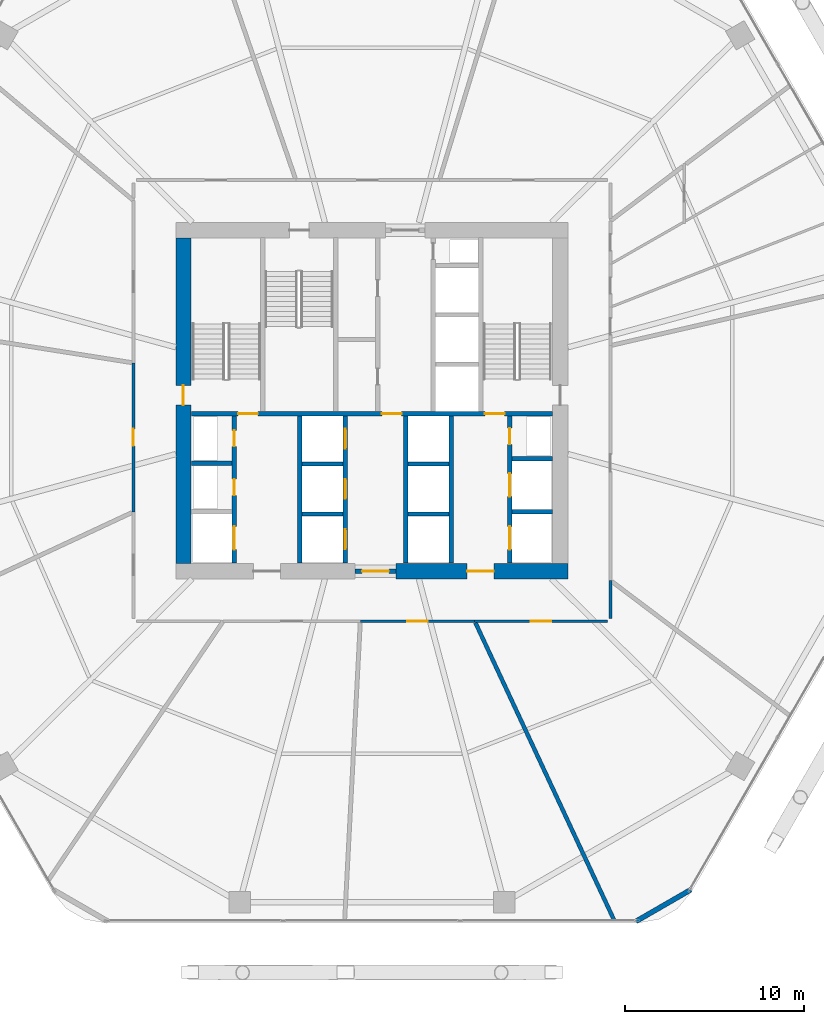
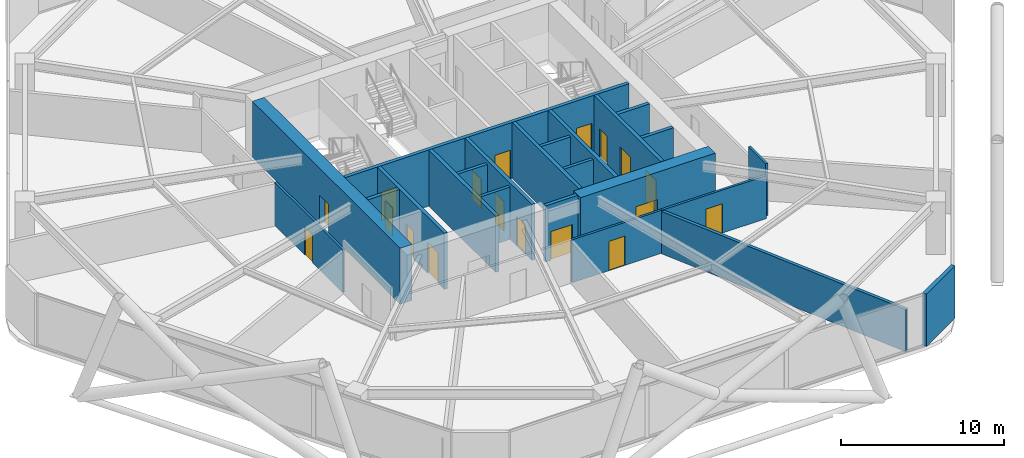
# One storey, part 26 of 29: 23 walls, 18 doors, 18 openings.
"""IFC4 building model written with IfcOpenShell, lengths in metres."""

from ifc_helpers import new_model, si_unit, direction, frame, frame_2d, origin, place, context, subcontext, project, spatial, rectangle, extrude, material, layer, layer_set, type_object, element, fill, save


model = new_model("IFC4")

# Units and contexts
model_context = context("Model", 3, precision=1e-05, world=origin(), true_north=direction((0.0, 1.0)))
body_context = subcontext(model_context, "Body", "Model", "MODEL_VIEW")
ifc_project = project(units=[si_unit("LENGTHUNIT", "METRE"), si_unit("AREAUNIT", "SQUARE_METRE"), si_unit("VOLUMEUNIT", "CUBIC_METRE"), si_unit("PLANEANGLEUNIT", "RADIAN"), si_unit("MASSUNIT", "GRAM", prefix="KILO")], contexts=[model_context])

# Site, building, storey
site_placement = place(None, origin())
site = spatial("IfcSite", under=ifc_project, at=site_placement, CompositionType="ELEMENT")
building_placement = place(site_placement, origin())
building = spatial("IfcBuilding", under=site, at=building_placement, Name="Zuhravey Tower", CompositionType="ELEMENT")
storey_placement = place(building_placement, frame((0.0, 0.0, 41.39990234375)))
storey = spatial("IfcBuildingStorey", under=building, at=storey_placement, Name="L10", CompositionType="ELEMENT", Elevation=41.39990234375)

# Wall, opening, door
ifc_material_1 = material(Name="Concrete C60/75", Category="concrete")
ifc_layer_1 = layer(ifc_material_1, 0.85009765625)
ifc_layer_set_1 = layer_set([ifc_layer_1], Name="Concrete C60/75")
wall_type_1 = type_object("IfcWallType", Name="Core Shear Wall 850", PredefinedType="SHEAR", material=ifc_layer_set_1)
wall_1_placement = place(storey_placement, frame((37.35009765625, 22.5, 0.0), z_axis=(0.0, 0.0, 1.0), x_axis=(1.0, 0.0, 0.0)))
wall_1 = element("IfcWall", 1, at=wall_1_placement, inside=storey, type_object=wall_type_1, Name="L10 South-East Core Shear Wall CW85", PredefinedType="SHEAR", context=body_context, shape_type="SweptSolid", body=[
    extrude(rectangle(XDim=9.574951171875, YDim=0.85009765625, at=frame_2d((4.78759765625, 0.0))), origin(), (0.0, 0.0, 1.0), 4.2001953125),
])
opening_1_placement = place(wall_1_placement, frame((3.949951171875, 0.0, 0.0)))
opening_1 = element("IfcOpeningElement", 2, at=opening_1_placement, cuts=wall_1, Name="Opening FFD1", PredefinedType="OPENING", context=body_context, shape_type="SweptSolid", body=[
    extrude(rectangle(XDim=1.5, YDim=2.14990234375, at=frame_2d((0.75, 1.074951171875))), frame((0.0, 0.43701171875, 0.0), z_axis=(0.0, -1.0, 0.0), x_axis=(1.0, 0.0, 0.0)), (0.0, 0.0, 1.0), 0.8740234375),
])
ifc_material_2 = material(Name="Galvanised fire-rated steel leaf", Category="steel")
door_type_1 = type_object("IfcDoorType", Name="Firefighting Lobby Double Door 1500x2150", OperationType="DOUBLE_DOOR_SINGLE_SWING", PredefinedType="DOOR", material=ifc_material_2)
door_1_placement = place(opening_1_placement, origin())
door_1 = element("IfcDoor", 3, at=door_1_placement, inside=storey, type_object=door_type_1, Name="L10 Firefighting Lobby East Door", OperationType="DOUBLE_DOOR_SINGLE_SWING", OverallHeight=2.14990234375, OverallWidth=1.5, PredefinedType="DOOR", context=body_context, shape_type="SweptSolid", body=[
    extrude(rectangle(XDim=1.5, YDim=2.14990234375, at=frame_2d((0.75, 1.074951171875))), frame((0.0, 0.02490234375, 0.0), z_axis=(0.0, -1.0, 0.0), x_axis=(1.0, 0.0, 0.0)), (0.0, 0.0, 1.0), 0.050048828125),
])
fill(opening_1, door_1)

wall_2_placement = place(storey_placement, frame((25.5, 22.925048828125, 0.0), z_axis=(0.0, 0.0, 1.0), x_axis=(0.0, 1.0, 0.0)))
wall_2 = element("IfcWall", 4, at=wall_2_placement, inside=storey, type_object=wall_type_1, Name="L10 West Core Shear Wall CW85", PredefinedType="SHEAR", context=body_context, shape_type="SweptSolid", body=[
    extrude(rectangle(XDim=18.14990234375, YDim=0.85009765625, at=frame_2d((9.074951171875, 0.0))), origin(), (0.0, 0.0, 1.0), 4.2001953125),
])
opening_2_placement = place(wall_2_placement, frame((8.824951171875, 0.0, 0.0)))
opening_2 = element("IfcOpeningElement", 5, at=opening_2_placement, cuts=wall_2, Name="Opening STD1", PredefinedType="OPENING", context=body_context, shape_type="SweptSolid", body=[
    extrude(rectangle(XDim=1.10009765625, YDim=2.14990234375, at=frame_2d((0.550048828125, 1.074951171875))), frame((0.0, 0.43701171875, 0.0), z_axis=(0.0, -1.0, 0.0), x_axis=(1.0, 0.0, 0.0)), (0.0, 0.0, 1.0), 0.8740234375),
])
door_type_2 = type_object("IfcDoorType", Name="Protected Stair Fire Door 1100x2150", OperationType="NOTDEFINED", PredefinedType="USERDEFINED", material=ifc_material_2)
door_2_placement = place(opening_2_placement, frame((1.10009765625, 0.0, 0.0), z_axis=(0.0, 0.0, 1.0), x_axis=(-1.0, 0.0, 0.0)))
door_2 = element("IfcDoor", 6, at=door_2_placement, inside=storey, type_object=door_type_2, Name="L10 Stair ST1 Door", ObjectType="EXITDOOR", OperationType="SINGLE_SWING_LEFT", OverallHeight=2.14990234375, OverallWidth=1.10009765625, PredefinedType="USERDEFINED", context=body_context, shape_type="SweptSolid", body=[
    extrude(rectangle(XDim=1.10009765625, YDim=2.14990234375, at=frame_2d((0.550048828125, 1.074951171875))), frame((0.0, 0.02490234375, 0.0), z_axis=(0.0, -1.0, 0.0), x_axis=(1.0, 0.0, 0.0)), (0.0, 0.0, 1.0), 0.050048828125),
])
fill(opening_2, door_2)

ifc_material_3 = material(Name="Gypsum fire-rated stud partition")
ifc_layer_2 = layer(ifc_material_3, 0.159912109375)
ifc_layer_set_2 = layer_set([ifc_layer_2], Name="Gypsum fire-rated stud partition")
wall_type_2 = type_object("IfcWallType", Name="Corridor Fire Partition 160", PredefinedType="PARTITIONING", material=ifc_layer_set_2)
wall_3_placement = place(storey_placement, frame((22.715087890625, 34.10400390625, 0.0), z_axis=(0.0, 0.0, 1.0), x_axis=(0.0, -1.0, 0.0)))
wall_3 = element("IfcWall", 7, at=wall_3_placement, inside=storey, type_object=wall_type_2, Name="L10 IW16 Partition 027", PredefinedType="PARTITIONING", context=body_context, shape_type="SweptSolid", body=[
    extrude(rectangle(XDim=8.298828125, YDim=0.159912109375, at=frame_2d((4.1494140625, 0.0))), origin(), (0.0, 0.0, 1.0), 3.22021484375),
])
opening_3_placement = place(wall_3_placement, frame((3.674560546875, 0.0, 0.0)))
opening_3 = element("IfcOpeningElement", 8, at=opening_3_placement, cuts=wall_3, Name="Opening IND1", PredefinedType="OPENING", context=body_context, shape_type="SweptSolid", body=[
    extrude(rectangle(XDim=0.949951171875, YDim=2.10009765625, at=frame_2d((0.47509765625, 1.050048828125))), frame((0.0, 0.092041015625, 0.0), z_axis=(0.0, -1.0, 0.0), x_axis=(1.0, 0.0, 0.0)), (0.0, 0.0, 1.0), 0.183837890625),
])
ifc_material_4 = material(Name="Painted engineered timber leaf", Category="wood")
door_type_3 = type_object("IfcDoorType", Name="Internal Room & Bedroom Door 950x2100", OperationType="NOTDEFINED", PredefinedType="DOOR", material=ifc_material_4)
door_3_placement = place(opening_3_placement, frame((0.949951171875, 0.0, 0.0), z_axis=(0.0, 0.0, 1.0), x_axis=(-1.0, 0.0, 0.0)))
door_3 = element("IfcDoor", 9, at=door_3_placement, inside=storey, type_object=door_type_3, Name="L10 Door 027.1", OperationType="SINGLE_SWING_LEFT", OverallHeight=2.10009765625, OverallWidth=0.949951171875, PredefinedType="DOOR", context=body_context, shape_type="SweptSolid", body=[
    extrude(rectangle(XDim=0.949951171875, YDim=2.10009765625, at=frame_2d((0.47509765625, 1.050048828125))), frame((0.0, 0.02490234375, 0.0), z_axis=(0.0, -1.0, 0.0), x_axis=(1.0, 0.0, 0.0)), (0.0, 0.0, 1.0), 0.050048828125),
])
fill(opening_3, door_3)

wall_4_placement = place(storey_placement, frame((35.356201171875, 19.715087890625, 0.0), z_axis=(0.0, 0.0, 1.0), x_axis=(1.0, 0.0, 0.0)))
wall_4 = element("IfcWall", 10, at=wall_4_placement, inside=storey, type_object=wall_type_2, Name="L10 IW16 Partition 030", PredefinedType="PARTITIONING", context=body_context, shape_type="SweptSolid", body=[
    extrude(rectangle(XDim=6.372314453125, YDim=0.159912109375, at=frame_2d((3.18603515625, 0.0))), origin(), (0.0, 0.0, 1.0), 3.22021484375),
])
opening_4_placement = place(wall_4_placement, frame((2.611083984375, 0.0, 0.0)))
opening_4 = element("IfcOpeningElement", 11, at=opening_4_placement, cuts=wall_4, Name="Opening CLD1", PredefinedType="OPENING", context=body_context, shape_type="SweptSolid", body=[
    extrude(rectangle(XDim=1.14990234375, YDim=2.199951171875, at=frame_2d((0.574951171875, 1.10009765625))), frame((0.0, 0.092041015625, 0.0), z_axis=(0.0, -1.0, 0.0), x_axis=(1.0, 0.0, 0.0)), (0.0, 0.0, 1.0), 0.183837890625),
])
ifc_material_5 = material(Name="Acoustic timber leaf with vision lite", Category="wood")
door_type_4 = type_object("IfcDoorType", Name="Classroom Acoustic Door 1150x2200", OperationType="NOTDEFINED", PredefinedType="DOOR", material=ifc_material_5)
door_4_placement = place(opening_4_placement, frame((1.14990234375, 0.0, 0.0), z_axis=(0.0, 0.0, 1.0), x_axis=(-1.0, 0.0, 0.0)))
door_4 = element("IfcDoor", 12, at=door_4_placement, inside=storey, type_object=door_type_4, Name="L10 Door 030.1", OperationType="SINGLE_SWING_RIGHT", OverallHeight=2.199951171875, OverallWidth=1.14990234375, PredefinedType="DOOR", context=body_context, shape_type="SweptSolid", body=[
    extrude(rectangle(XDim=1.14990234375, YDim=2.199951171875, at=frame_2d((0.574951171875, 1.10009765625))), frame((0.0, 0.02490234375, 0.0), z_axis=(0.0, -1.0, 0.0), x_axis=(1.0, 0.0, 0.0)), (0.0, 0.0, 1.0), 0.050048828125),
])
fill(opening_4, door_4)

wall_5_placement = place(storey_placement, frame((41.728515625, 19.715087890625, 0.0), z_axis=(0.0, 0.0, 1.0), x_axis=(1.0, 0.0, 0.0)))
wall_5 = element("IfcWall", 13, at=wall_5_placement, inside=storey, type_object=wall_type_2, Name="L10 IW16 Partition 031", PredefinedType="PARTITIONING", context=body_context, shape_type="SweptSolid", body=[
    extrude(rectangle(XDim=7.396484375, YDim=0.159912109375, at=frame_2d((3.6982421875, 0.0))), origin(), (0.0, 0.0, 1.0), 3.22021484375),
])
opening_5_placement = place(wall_5_placement, frame((3.123291015625, 0.0, 0.0)))
opening_5 = element("IfcOpeningElement", 14, at=opening_5_placement, cuts=wall_5, Name="Opening CLD1", PredefinedType="OPENING", context=body_context, shape_type="SweptSolid", body=[
    extrude(rectangle(XDim=1.14990234375, YDim=2.199951171875, at=frame_2d((0.574951171875, 1.10009765625))), frame((0.0, 0.092041015625, 0.0), z_axis=(0.0, -1.0, 0.0), x_axis=(1.0, 0.0, 0.0)), (0.0, 0.0, 1.0), 0.183837890625),
])
door_5_placement = place(opening_5_placement, frame((1.14990234375, 0.0, 0.0), z_axis=(0.0, 0.0, 1.0), x_axis=(-1.0, 0.0, 0.0)))
door_5 = element("IfcDoor", 15, at=door_5_placement, inside=storey, type_object=door_type_4, Name="L10 Door 031.1", OperationType="SINGLE_SWING_LEFT", OverallHeight=2.199951171875, OverallWidth=1.14990234375, PredefinedType="DOOR", context=body_context, shape_type="SweptSolid", body=[
    extrude(rectangle(XDim=1.14990234375, YDim=2.199951171875, at=frame_2d((0.574951171875, 1.10009765625))), frame((0.0, 0.02490234375, 0.0), z_axis=(0.0, -1.0, 0.0), x_axis=(1.0, 0.0, 0.0)), (0.0, 0.0, 1.0), 0.050048828125),
])
fill(opening_5, door_5)

# Walls
wall_6_placement = place(storey_placement, frame((49.284912109375, 19.875, 0.0), z_axis=(0.0, 0.0, 1.0), x_axis=(0.0, 1.0, 0.0)))
element("IfcWall", 16, at=wall_6_placement, inside=storey, type_object=wall_type_2, Name="L10 IW16 Partition 058", PredefinedType="PARTITIONING", context=body_context, shape_type="SweptSolid", body=[
    extrude(rectangle(XDim=2.114013671875, YDim=0.159912109375, at=frame_2d((1.05712890625, 0.0))), origin(), (0.0, 0.0, 1.0), 3.920166015625),
])
ifc_material_6 = material(Name="Precast concrete C40/50", Category="concrete")
ifc_layer_3 = layer(ifc_material_6, 0.280029296875)
ifc_layer_set_3 = layer_set([ifc_layer_3], Name="Precast concrete C40/50")
wall_type_3 = type_object("IfcWallType", Name="Crown Architectural Wall 280", PredefinedType="SOLIDWALL", material=ifc_layer_set_3)
wall_7_placement = place(storey_placement, frame((53.76123046875, 4.75146484375, 0.0), z_axis=(0.0, 0.0, 1.0), x_axis=(-0.866007452331, -0.500031091541, 0.0)))
element("IfcWall", 17, at=wall_7_placement, inside=storey, type_object=wall_type_3, Name="L10 Rounded Corner Closure Wall EW28-02", PredefinedType="SOLIDWALL", context=body_context, shape_type="SweptSolid", body=[
    extrude(rectangle(XDim=3.514892578125, YDim=0.280029296875, at=frame_2d((1.75732421875, 0.0))), origin(), (0.0, 0.0, 1.0), 3.920166015625),
])

# Wall, opening, door
ifc_material_7 = material(Name="Concrete C50/60", Category="concrete")
ifc_layer_4 = layer(ifc_material_7, 0.25)
ifc_layer_set_4 = layer_set([ifc_layer_4], Name="Concrete C50/60")
wall_type_4 = type_object("IfcWallType", Name="Firefighting Shaft & Stair Wall 250", PredefinedType="SOLIDWALL", material=ifc_layer_set_4)
wall_8_placement = place(storey_placement, frame((35.06005859375, 22.5, 0.0), z_axis=(0.0, 0.0, 1.0), x_axis=(1.0, 0.0, 0.0)))
wall_8 = element("IfcWall", 18, at=wall_8_placement, inside=storey, type_object=wall_type_4, Name="L10 FW25 Shaft Wall 001", PredefinedType="SOLIDWALL", context=body_context, shape_type="SweptSolid", body=[
    extrude(rectangle(XDim=2.280029296875, YDim=0.25, at=frame_2d((1.14013671875, 0.0))), origin(), (0.0, 0.0, 1.0), 4.2001953125),
])
opening_6_placement = place(wall_8_placement, frame((0.389892578125, 0.0, 0.0)))
opening_6 = element("IfcOpeningElement", 19, at=opening_6_placement, cuts=wall_8, Name="Opening FFD1", PredefinedType="OPENING", context=body_context, shape_type="SweptSolid", body=[
    extrude(rectangle(XDim=1.5, YDim=2.14990234375, at=frame_2d((0.75, 1.074951171875))), frame((0.0, 0.136962890625, 0.0), z_axis=(0.0, -1.0, 0.0), x_axis=(1.0, 0.0, 0.0)), (0.0, 0.0, 1.0), 0.27392578125),
])
door_6_placement = place(opening_6_placement, frame((1.5, 0.0, 0.0), z_axis=(0.0, 0.0, 1.0), x_axis=(-1.0, 0.0, 0.0)))
door_6 = element("IfcDoor", 20, at=door_6_placement, inside=storey, type_object=door_type_1, Name="L10 South Lift Lobby Exit Door", OperationType="DOUBLE_DOOR_SINGLE_SWING", OverallHeight=2.14990234375, OverallWidth=1.5, PredefinedType="DOOR", context=body_context, shape_type="SweptSolid", body=[
    extrude(rectangle(XDim=1.5, YDim=2.14990234375, at=frame_2d((0.75, 1.074951171875))), frame((0.0, 0.02490234375, 0.0), z_axis=(0.0, -1.0, 0.0), x_axis=(1.0, 0.0, 0.0)), (0.0, 0.0, 1.0), 0.050048828125),
])
fill(opening_6, door_6)

# Wall, openings, doors
wall_9_placement = place(storey_placement, frame((25.949951171875, 31.27490234375, 0.0), z_axis=(0.0, 0.0, 1.0), x_axis=(1.0, 0.0, 0.0)))
wall_9 = element("IfcWall", 21, at=wall_9_placement, inside=storey, type_object=wall_type_4, Name="L10 FW25 Shaft Wall 003", PredefinedType="SOLIDWALL", context=body_context, shape_type="SweptSolid", body=[
    extrude(rectangle(XDim=20.10009765625, YDim=0.25, at=frame_2d((10.050048828125, 0.0))), origin(), (0.0, 0.0, 1.0), 4.2001953125),
])
opening_7_placement = place(wall_9_placement, frame((2.60009765625, 0.0, 0.0)))
opening_7 = element("IfcOpeningElement", 22, at=opening_7_placement, cuts=wall_9, Name="Opening STD1", PredefinedType="OPENING", context=body_context, shape_type="SweptSolid", body=[
    extrude(rectangle(XDim=1.10009765625, YDim=2.14990234375, at=frame_2d((0.550048828125, 1.074951171875))), frame((0.0, 0.136962890625, 0.0), z_axis=(0.0, -1.0, 0.0), x_axis=(1.0, 0.0, 0.0)), (0.0, 0.0, 1.0), 0.27392578125),
])
opening_8_placement = place(wall_9_placement, frame((10.60009765625, 0.0, 0.0)))
opening_8 = element("IfcOpeningElement", 23, at=opening_8_placement, cuts=wall_9, Name="Opening STD1", PredefinedType="OPENING", context=body_context, shape_type="SweptSolid", body=[
    extrude(rectangle(XDim=1.10009765625, YDim=2.14990234375, at=frame_2d((0.550048828125, 1.074951171875))), frame((0.0, 0.136962890625, 0.0), z_axis=(0.0, -1.0, 0.0), x_axis=(1.0, 0.0, 0.0)), (0.0, 0.0, 1.0), 0.27392578125),
])
opening_9_placement = place(wall_9_placement, frame((16.35009765625, 0.0, 0.0)))
opening_9 = element("IfcOpeningElement", 24, at=opening_9_placement, cuts=wall_9, Name="Opening STD1", PredefinedType="OPENING", context=body_context, shape_type="SweptSolid", body=[
    extrude(rectangle(XDim=1.10009765625, YDim=2.14990234375, at=frame_2d((0.550048828125, 1.074951171875))), frame((0.0, 0.136962890625, 0.0), z_axis=(0.0, -1.0, 0.0), x_axis=(1.0, 0.0, 0.0)), (0.0, 0.0, 1.0), 0.27392578125),
])
door_7_placement = place(opening_7_placement, origin())
door_7 = element("IfcDoor", 25, at=door_7_placement, inside=storey, type_object=door_type_2, Name="L10 FFL-W to ST1 Door", ObjectType="EXITDOOR", OperationType="SINGLE_SWING_RIGHT", OverallHeight=2.14990234375, OverallWidth=1.10009765625, PredefinedType="USERDEFINED", context=body_context, shape_type="SweptSolid", body=[
    extrude(rectangle(XDim=1.10009765625, YDim=2.14990234375, at=frame_2d((0.550048828125, 1.074951171875))), frame((0.0, 0.02490234375, 0.0), z_axis=(0.0, -1.0, 0.0), x_axis=(1.0, 0.0, 0.0)), (0.0, 0.0, 1.0), 0.050048828125),
])
fill(opening_7, door_7)
door_8_placement = place(opening_8_placement, origin())
door_8 = element("IfcDoor", 26, at=door_8_placement, inside=storey, type_object=door_type_2, Name="L10 Core Lobby Link Door", ObjectType="EXITDOOR", OperationType="SINGLE_SWING_LEFT", OverallHeight=2.14990234375, OverallWidth=1.10009765625, PredefinedType="USERDEFINED", context=body_context, shape_type="SweptSolid", body=[
    extrude(rectangle(XDim=1.10009765625, YDim=2.14990234375, at=frame_2d((0.550048828125, 1.074951171875))), frame((0.0, 0.02490234375, 0.0), z_axis=(0.0, -1.0, 0.0), x_axis=(1.0, 0.0, 0.0)), (0.0, 0.0, 1.0), 0.050048828125),
])
fill(opening_8, door_8)
door_9_placement = place(opening_9_placement, origin())
door_9 = element("IfcDoor", 27, at=door_9_placement, inside=storey, type_object=door_type_2, Name="L10 FFL-E to ST2 Door", ObjectType="EXITDOOR", OperationType="SINGLE_SWING_RIGHT", OverallHeight=2.14990234375, OverallWidth=1.10009765625, PredefinedType="USERDEFINED", context=body_context, shape_type="SweptSolid", body=[
    extrude(rectangle(XDim=1.10009765625, YDim=2.14990234375, at=frame_2d((0.550048828125, 1.074951171875))), frame((0.0, 0.02490234375, 0.0), z_axis=(0.0, -1.0, 0.0), x_axis=(1.0, 0.0, 0.0)), (0.0, 0.0, 1.0), 0.050048828125),
])
fill(opening_9, door_9)

# Wall
wall_10_placement = place(storey_placement, frame((25.949951171875, 28.52490234375, 0.0), z_axis=(0.0, 0.0, 1.0), x_axis=(1.0, 0.0, 0.0)))
element("IfcWall", 28, at=wall_10_placement, inside=storey, type_object=wall_type_4, Name="L10 FW25 Shaft Wall 010", PredefinedType="SOLIDWALL", context=body_context, shape_type="SweptSolid", body=[
    extrude(rectangle(XDim=2.25, YDim=0.25, at=frame_2d((1.125, 0.0))), origin(), (0.0, 0.0, 1.0), 4.2001953125),
])

# Wall, openings, doors
wall_11_placement = place(storey_placement, frame((28.324951171875, 22.949951171875, 0.0), z_axis=(0.0, 0.0, 1.0), x_axis=(0.0, 1.0, 0.0)))
wall_11 = element("IfcWall", 29, at=wall_11_placement, inside=storey, type_object=wall_type_4, Name="L10 FW25 Shaft Wall 011", PredefinedType="SOLIDWALL", context=body_context, shape_type="SweptSolid", body=[
    extrude(rectangle(XDim=8.199951171875, YDim=0.25, at=frame_2d((4.10009765625, 0.0))), origin(), (0.0, 0.0, 1.0), 4.2001953125),
])
opening_10_placement = place(wall_11_placement, frame((0.75, 0.0, 0.0)))
opening_10 = element("IfcOpeningElement", 30, at=opening_10_placement, cuts=wall_11, Name="Opening LD2", PredefinedType="OPENING", context=body_context, shape_type="SweptSolid", body=[
    extrude(rectangle(XDim=1.300048828125, YDim=2.300048828125, at=frame_2d((0.64990234375, 1.14990234375))), frame((0.0, 0.136962890625, 0.0), z_axis=(0.0, -1.0, 0.0), x_axis=(1.0, 0.0, 0.0)), (0.0, 0.0, 1.0), 0.27392578125),
])
opening_11_placement = place(wall_11_placement, frame((3.780029296875, 0.0, 0.0)))
opening_11 = element("IfcOpeningElement", 31, at=opening_11_placement, cuts=wall_11, Name="Opening RSD1", PredefinedType="OPENING", context=body_context, shape_type="SweptSolid", body=[
    extrude(rectangle(XDim=0.89990234375, YDim=2.10009765625, at=frame_2d((0.449951171875, 1.050048828125))), frame((0.0, 0.136962890625, 0.0), z_axis=(0.0, -1.0, 0.0), x_axis=(1.0, 0.0, 0.0)), (0.0, 0.0, 1.0), 0.27392578125),
])
opening_12_placement = place(wall_11_placement, frame((6.5, 0.0, 0.0)))
opening_12 = element("IfcOpeningElement", 32, at=opening_12_placement, cuts=wall_11, Name="Opening RSD1", PredefinedType="OPENING", context=body_context, shape_type="SweptSolid", body=[
    extrude(rectangle(XDim=0.89990234375, YDim=2.10009765625, at=frame_2d((0.449951171875, 1.050048828125))), frame((0.0, 0.136962890625, 0.0), z_axis=(0.0, -1.0, 0.0), x_axis=(1.0, 0.0, 0.0)), (0.0, 0.0, 1.0), 0.27392578125),
])
ifc_material_8 = material(Name="Brushed stainless steel", Category="steel")
door_type_5 = type_object("IfcDoorType", Name="Freight & Stretcher Lift Sliding Door 1300x2300", OperationType="DOUBLE_DOOR_SLIDING", PredefinedType="DOOR", material=ifc_material_8)
door_10_placement = place(opening_10_placement, frame((1.300048828125, 0.0, 0.0), z_axis=(0.0, 0.0, 1.0), x_axis=(-1.0, 0.0, 0.0)))
door_10 = element("IfcDoor", 33, at=door_10_placement, inside=storey, type_object=door_type_5, Name="L10 Lift FF1 Landing Door", OperationType="DOUBLE_DOOR_SLIDING", OverallHeight=2.300048828125, OverallWidth=1.300048828125, PredefinedType="DOOR", context=body_context, shape_type="SweptSolid", body=[
    extrude(rectangle(XDim=1.300048828125, YDim=2.300048828125, at=frame_2d((0.64990234375, 1.14990234375))), frame((0.0, 0.02490234375, 0.0), z_axis=(0.0, -1.0, 0.0), x_axis=(1.0, 0.0, 0.0)), (0.0, 0.0, 1.0), 0.050048828125),
])
fill(opening_10, door_10)
ifc_material_9 = material(Name="Galvanised fire-rated steel access leaf", Category="steel")
door_type_6 = type_object("IfcDoorType", Name="Riser & Shaft Access Fire Door 900x2100", OperationType="NOTDEFINED", PredefinedType="DOOR", material=ifc_material_9)
door_11_placement = place(opening_11_placement, frame((0.89990234375, 0.0, 0.0), z_axis=(0.0, 0.0, 1.0), x_axis=(-1.0, 0.0, 0.0)))
door_11 = element("IfcDoor", 34, at=door_11_placement, inside=storey, type_object=door_type_6, Name="L10 Electrical Riser Door", OperationType="SINGLE_SWING_RIGHT", OverallHeight=2.10009765625, OverallWidth=0.89990234375, PredefinedType="DOOR", context=body_context, shape_type="SweptSolid", body=[
    extrude(rectangle(XDim=0.89990234375, YDim=2.10009765625, at=frame_2d((0.449951171875, 1.050048828125))), frame((0.0, 0.02490234375, 0.0), z_axis=(0.0, -1.0, 0.0), x_axis=(1.0, 0.0, 0.0)), (0.0, 0.0, 1.0), 0.050048828125),
])
fill(opening_11, door_11)
door_12_placement = place(opening_12_placement, frame((0.89990234375, 0.0, 0.0), z_axis=(0.0, 0.0, 1.0), x_axis=(-1.0, 0.0, 0.0)))
door_12 = element("IfcDoor", 35, at=door_12_placement, inside=storey, type_object=door_type_6, Name="L10 Smoke Shaft Access Door", OperationType="SINGLE_SWING_LEFT", OverallHeight=2.10009765625, OverallWidth=0.89990234375, PredefinedType="DOOR", context=body_context, shape_type="SweptSolid", body=[
    extrude(rectangle(XDim=0.89990234375, YDim=2.10009765625, at=frame_2d((0.449951171875, 1.050048828125))), frame((0.0, 0.02490234375, 0.0), z_axis=(0.0, -1.0, 0.0), x_axis=(1.0, 0.0, 0.0)), (0.0, 0.0, 1.0), 0.050048828125),
])
fill(opening_12, door_12)

# Wall
wall_12_placement = place(storey_placement, frame((31.97509765625, 22.949951171875, 0.0), z_axis=(0.0, 0.0, 1.0), x_axis=(0.0, 1.0, 0.0)))
element("IfcWall", 36, at=wall_12_placement, inside=storey, type_object=wall_type_4, Name="L10 FW25 Shaft Wall 012", PredefinedType="SOLIDWALL", context=body_context, shape_type="SweptSolid", body=[
    extrude(rectangle(XDim=8.199951171875, YDim=0.25, at=frame_2d((4.10009765625, 0.0))), origin(), (0.0, 0.0, 1.0), 4.2001953125),
])

# Wall, openings, doors
wall_13_placement = place(storey_placement, frame((34.52490234375, 22.949951171875, 0.0), z_axis=(0.0, 0.0, 1.0), x_axis=(0.0, 1.0, 0.0)))
wall_13 = element("IfcWall", 37, at=wall_13_placement, inside=storey, type_object=wall_type_4, Name="L10 FW25 Shaft Wall 013", PredefinedType="SOLIDWALL", context=body_context, shape_type="SweptSolid", body=[
    extrude(rectangle(XDim=8.199951171875, YDim=0.25, at=frame_2d((4.10009765625, 0.0))), origin(), (0.0, 0.0, 1.0), 4.2001953125),
])
opening_13_placement = place(wall_13_placement, frame((0.77490234375, 0.0, 0.0)))
opening_13 = element("IfcOpeningElement", 38, at=opening_13_placement, cuts=wall_13, Name="Opening LD1", PredefinedType="OPENING", context=body_context, shape_type="SweptSolid", body=[
    extrude(rectangle(XDim=1.10009765625, YDim=2.199951171875, at=frame_2d((0.550048828125, 1.10009765625))), frame((0.0, 0.136962890625, 0.0), z_axis=(0.0, -1.0, 0.0), x_axis=(1.0, 0.0, 0.0)), (0.0, 0.0, 1.0), 0.27392578125),
])
opening_14_placement = place(wall_13_placement, frame((3.574951171875, 0.0, 0.0)))
opening_14 = element("IfcOpeningElement", 39, at=opening_14_placement, cuts=wall_13, Name="Opening LD1", PredefinedType="OPENING", context=body_context, shape_type="SweptSolid", body=[
    extrude(rectangle(XDim=1.10009765625, YDim=2.199951171875, at=frame_2d((0.550048828125, 1.10009765625))), frame((0.0, 0.136962890625, 0.0), z_axis=(0.0, -1.0, 0.0), x_axis=(1.0, 0.0, 0.0)), (0.0, 0.0, 1.0), 0.27392578125),
])
opening_15_placement = place(wall_13_placement, frame((6.375, 0.0, 0.0)))
opening_15 = element("IfcOpeningElement", 40, at=opening_15_placement, cuts=wall_13, Name="Opening LD1", PredefinedType="OPENING", context=body_context, shape_type="SweptSolid", body=[
    extrude(rectangle(XDim=1.10009765625, YDim=2.199951171875, at=frame_2d((0.550048828125, 1.10009765625))), frame((0.0, 0.136962890625, 0.0), z_axis=(0.0, -1.0, 0.0), x_axis=(1.0, 0.0, 0.0)), (0.0, 0.0, 1.0), 0.27392578125),
])
door_type_7 = type_object("IfcDoorType", Name="Lift Landing Sliding Door 1100x2200", OperationType="DOUBLE_DOOR_SLIDING", PredefinedType="DOOR", material=ifc_material_8)
door_13_placement = place(opening_13_placement, frame((1.10009765625, 0.0, 0.0), z_axis=(0.0, 0.0, 1.0), x_axis=(-1.0, 0.0, 0.0)))
door_13 = element("IfcDoor", 41, at=door_13_placement, inside=storey, type_object=door_type_7, Name="L10 Lift PL1 Landing Door", OperationType="DOUBLE_DOOR_SLIDING", OverallHeight=2.199951171875, OverallWidth=1.10009765625, PredefinedType="DOOR", context=body_context, shape_type="SweptSolid", body=[
    extrude(rectangle(XDim=1.10009765625, YDim=2.199951171875, at=frame_2d((0.550048828125, 1.10009765625))), frame((0.0, 0.02490234375, 0.0), z_axis=(0.0, -1.0, 0.0), x_axis=(1.0, 0.0, 0.0)), (0.0, 0.0, 1.0), 0.050048828125),
])
fill(opening_13, door_13)
door_14_placement = place(opening_14_placement, frame((1.10009765625, 0.0, 0.0), z_axis=(0.0, 0.0, 1.0), x_axis=(-1.0, 0.0, 0.0)))
door_14 = element("IfcDoor", 42, at=door_14_placement, inside=storey, type_object=door_type_7, Name="L10 Lift PL2 Landing Door", OperationType="DOUBLE_DOOR_SLIDING", OverallHeight=2.199951171875, OverallWidth=1.10009765625, PredefinedType="DOOR", context=body_context, shape_type="SweptSolid", body=[
    extrude(rectangle(XDim=1.10009765625, YDim=2.199951171875, at=frame_2d((0.550048828125, 1.10009765625))), frame((0.0, 0.02490234375, 0.0), z_axis=(0.0, -1.0, 0.0), x_axis=(1.0, 0.0, 0.0)), (0.0, 0.0, 1.0), 0.050048828125),
])
fill(opening_14, door_14)
door_15_placement = place(opening_15_placement, frame((1.10009765625, 0.0, 0.0), z_axis=(0.0, 0.0, 1.0), x_axis=(-1.0, 0.0, 0.0)))
door_15 = element("IfcDoor", 43, at=door_15_placement, inside=storey, type_object=door_type_7, Name="L10 Lift PL3 Landing Door", OperationType="DOUBLE_DOOR_SLIDING", OverallHeight=2.199951171875, OverallWidth=1.10009765625, PredefinedType="DOOR", context=body_context, shape_type="SweptSolid", body=[
    extrude(rectangle(XDim=1.10009765625, YDim=2.199951171875, at=frame_2d((0.550048828125, 1.10009765625))), frame((0.0, 0.02490234375, 0.0), z_axis=(0.0, -1.0, 0.0), x_axis=(1.0, 0.0, 0.0)), (0.0, 0.0, 1.0), 0.050048828125),
])
fill(opening_15, door_15)

# Walls
for number, where, z_axis, x_axis, name in (
    (44, (37.875, 22.949951171875, 0.0), (0.0, 0.0, 1.0), (0.0, 1.0, 0.0), "L10 FW25 Shaft Wall 014"),
    (45, (40.425048828125, 22.949951171875, 0.0), (0.0, 0.0, 1.0), (0.0, 1.0, 0.0), "L10 FW25 Shaft Wall 015"),
):
    element("IfcWall", number, at=place(storey_placement, frame(where, z_axis=z_axis, x_axis=x_axis)), inside=storey, type_object=wall_type_4, Name=name, PredefinedType="SOLIDWALL", context=body_context, shape_type="SweptSolid", body=[
        extrude(rectangle(XDim=8.199951171875, YDim=0.25, at=frame_2d((4.10009765625, 0.0))), origin(), (0.0, 0.0, 1.0), 4.2001953125),
    ])
for number, where, z_axis, x_axis, name in (
    (46, (43.800048828125, 25.824951171875, 0.0), (0.0, 0.0, 1.0), (1.0, 0.0, 0.0), "L10 FW25 Shaft Wall 016"),
    (47, (43.800048828125, 28.77490234375, 0.0), (0.0, 0.0, 1.0), (1.0, 0.0, 0.0), "L10 FW25 Shaft Wall 017"),
):
    element("IfcWall", number, at=place(storey_placement, frame(where, z_axis=z_axis, x_axis=x_axis)), inside=storey, type_object=wall_type_4, Name=name, PredefinedType="SOLIDWALL", context=body_context, shape_type="SweptSolid", body=[
        extrude(rectangle(XDim=2.25, YDim=0.25, at=frame_2d((1.125, 0.0))), origin(), (0.0, 0.0, 1.0), 4.2001953125),
    ])

# Wall, openings, doors
wall_14_placement = place(storey_placement, frame((43.675048828125, 22.949951171875, 0.0), z_axis=(0.0, 0.0, 1.0), x_axis=(0.0, 1.0, 0.0)))
wall_14 = element("IfcWall", 48, at=wall_14_placement, inside=storey, type_object=wall_type_4, Name="L10 FW25 Shaft Wall 018", PredefinedType="SOLIDWALL", context=body_context, shape_type="SweptSolid", body=[
    extrude(rectangle(XDim=8.199951171875, YDim=0.25, at=frame_2d((4.10009765625, 0.0))), origin(), (0.0, 0.0, 1.0), 4.2001953125),
])
opening_16_placement = place(wall_14_placement, frame((0.75, 0.0, 0.0)))
opening_16 = element("IfcOpeningElement", 49, at=opening_16_placement, cuts=wall_14, Name="Opening LD2", PredefinedType="OPENING", context=body_context, shape_type="SweptSolid", body=[
    extrude(rectangle(XDim=1.300048828125, YDim=2.300048828125, at=frame_2d((0.64990234375, 1.14990234375))), frame((0.0, 0.136962890625, 0.0), z_axis=(0.0, -1.0, 0.0), x_axis=(1.0, 0.0, 0.0)), (0.0, 0.0, 1.0), 0.27392578125),
])
opening_17_placement = place(wall_14_placement, frame((3.699951171875, 0.0, 0.0)))
opening_17 = element("IfcOpeningElement", 50, at=opening_17_placement, cuts=wall_14, Name="Opening LD2", PredefinedType="OPENING", context=body_context, shape_type="SweptSolid", body=[
    extrude(rectangle(XDim=1.300048828125, YDim=2.300048828125, at=frame_2d((0.64990234375, 1.14990234375))), frame((0.0, 0.136962890625, 0.0), z_axis=(0.0, -1.0, 0.0), x_axis=(1.0, 0.0, 0.0)), (0.0, 0.0, 1.0), 0.27392578125),
])
opening_18_placement = place(wall_14_placement, frame((6.6201171875, 0.0, 0.0)))
opening_18 = element("IfcOpeningElement", 51, at=opening_18_placement, cuts=wall_14, Name="Opening RSD1", PredefinedType="OPENING", context=body_context, shape_type="SweptSolid", body=[
    extrude(rectangle(XDim=0.89990234375, YDim=2.10009765625, at=frame_2d((0.449951171875, 1.050048828125))), frame((0.0, 0.136962890625, 0.0), z_axis=(0.0, -1.0, 0.0), x_axis=(1.0, 0.0, 0.0)), (0.0, 0.0, 1.0), 0.27392578125),
])
door_16_placement = place(opening_16_placement, origin())
door_16 = element("IfcDoor", 52, at=door_16_placement, inside=storey, type_object=door_type_5, Name="L10 Lift FF2 Landing Door", OperationType="DOUBLE_DOOR_SLIDING", OverallHeight=2.300048828125, OverallWidth=1.300048828125, PredefinedType="DOOR", context=body_context, shape_type="SweptSolid", body=[
    extrude(rectangle(XDim=1.300048828125, YDim=2.300048828125, at=frame_2d((0.64990234375, 1.14990234375))), frame((0.0, 0.02490234375, 0.0), z_axis=(0.0, -1.0, 0.0), x_axis=(1.0, 0.0, 0.0)), (0.0, 0.0, 1.0), 0.050048828125),
])
fill(opening_16, door_16)
door_17_placement = place(opening_17_placement, origin())
door_17 = element("IfcDoor", 53, at=door_17_placement, inside=storey, type_object=door_type_5, Name="L10 Lift SV1 Landing Door", OperationType="DOUBLE_DOOR_SLIDING", OverallHeight=2.300048828125, OverallWidth=1.300048828125, PredefinedType="DOOR", context=body_context, shape_type="SweptSolid", body=[
    extrude(rectangle(XDim=1.300048828125, YDim=2.300048828125, at=frame_2d((0.64990234375, 1.14990234375))), frame((0.0, 0.02490234375, 0.0), z_axis=(0.0, -1.0, 0.0), x_axis=(1.0, 0.0, 0.0)), (0.0, 0.0, 1.0), 0.050048828125),
])
fill(opening_17, door_17)
door_18_placement = place(opening_18_placement, origin())
door_18 = element("IfcDoor", 54, at=door_18_placement, inside=storey, type_object=door_type_6, Name="L10 Plumbing Riser Door", OperationType="SINGLE_SWING_RIGHT", OverallHeight=2.10009765625, OverallWidth=0.89990234375, PredefinedType="DOOR", context=body_context, shape_type="SweptSolid", body=[
    extrude(rectangle(XDim=0.89990234375, YDim=2.10009765625, at=frame_2d((0.449951171875, 1.050048828125))), frame((0.0, 0.02490234375, 0.0), z_axis=(0.0, -1.0, 0.0), x_axis=(1.0, 0.0, 0.0)), (0.0, 0.0, 1.0), 0.050048828125),
])
fill(opening_18, door_18)

# Walls
ifc_material_10 = material(Name="Gypsum acoustic stud assembly")
ifc_layer_5 = layer(ifc_material_10, 0.219970703125)
ifc_layer_set_5 = layer_set([ifc_layer_5], Name="Gypsum acoustic stud assembly")
wall_type_5 = type_object("IfcWallType", Name="School Acoustic Compartment Wall 220", PredefinedType="PARTITIONING", material=ifc_layer_set_5)
for number, where, z_axis, x_axis, name in (
    (55, (32.10791015625, 25.675048828125, 0.0), (0.0, 0.0, 1.0), (1.0, 0.0, 0.0), "L10 IW22 Partition 037"),
    (56, (32.10791015625, 28.47509765625, 0.0), (0.0, 0.0, 1.0), (1.0, 0.0, 0.0), "L10 IW22 Partition 038"),
):
    element("IfcWall", number, at=place(storey_placement, frame(where, z_axis=z_axis, x_axis=x_axis)), inside=storey, type_object=wall_type_5, Name=name, PredefinedType="PARTITIONING", context=body_context, shape_type="SweptSolid", body=[
        extrude(rectangle(XDim=2.2841796875, YDim=0.219970703125, at=frame_2d((1.14208984375, 0.0))), origin(), (0.0, 0.0, 1.0), 3.920166015625),
    ])
for number, where, z_axis, x_axis, name in (
    (57, (38.008056640625, 25.675048828125, 0.0), (0.0, 0.0, 1.0), (1.0, 0.0, 0.0), "L10 IW22 Partition 039"),
    (58, (38.008056640625, 28.47509765625, 0.0), (0.0, 0.0, 1.0), (1.0, 0.0, 0.0), "L10 IW22 Partition 040"),
):
    element("IfcWall", number, at=place(storey_placement, frame(where, z_axis=z_axis, x_axis=x_axis)), inside=storey, type_object=wall_type_5, Name=name, PredefinedType="PARTITIONING", context=body_context, shape_type="SweptSolid", body=[
        extrude(rectangle(XDim=2.283935546875, YDim=0.219970703125, at=frame_2d((1.14208984375, 0.0))), origin(), (0.0, 0.0, 1.0), 3.920166015625),
    ])
wall_15_placement = place(storey_placement, frame((41.769775390625, 19.626953125, 0.0), z_axis=(0.0, 0.0, 1.0), x_axis=(0.422616678834, -0.906308525156, 0.0)))
element("IfcWall", 59, at=wall_15_placement, inside=storey, type_object=wall_type_5, Name="L10 IW22 Partition 057", PredefinedType="PARTITIONING", context=body_context, shape_type="SweptSolid", body=[
    extrude(rectangle(XDim=18.300048828125, YDim=0.219970703125, at=frame_2d((9.14990234375, 0.0))), origin(), (0.0, 0.0, 1.0), 3.170166015625),
])

save(model, "model.ifc")
